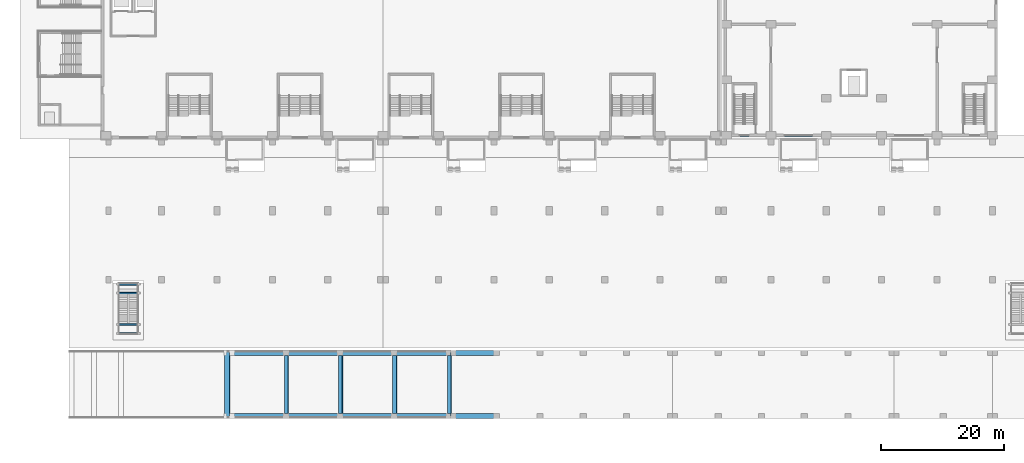
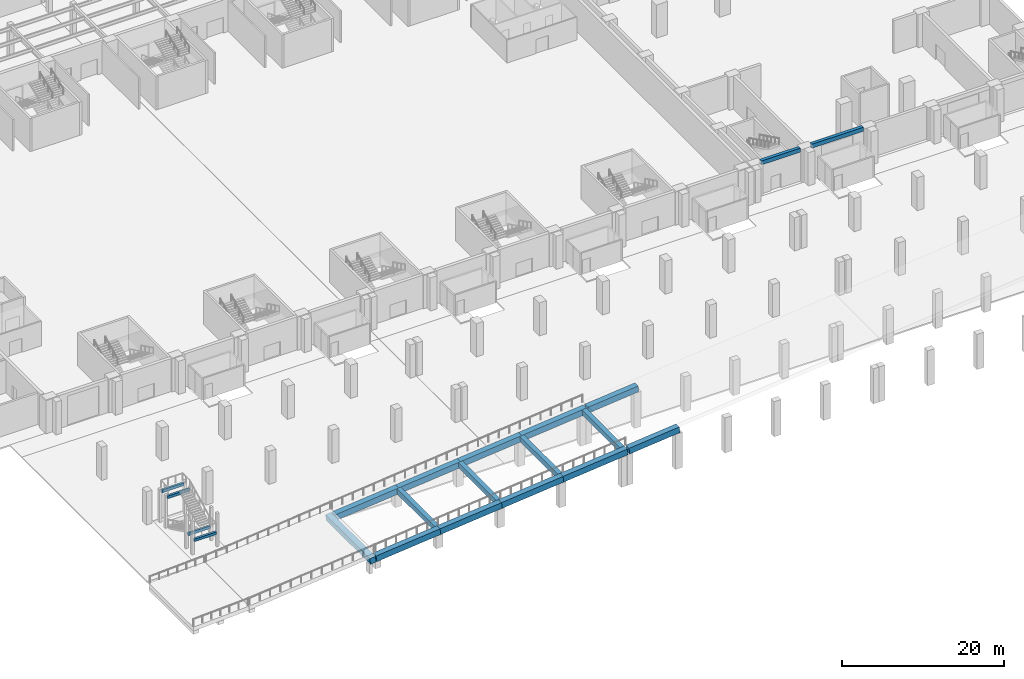
# One storey, part 15 of 77: 21 beams.
"""IFC4 building model written with IfcOpenShell, lengths in metres."""

from ifc_helpers import new_model, si_unit, direction, frame, origin, origin_2d, place, context, subcontext, project, spatial, rectangle, extrude, material, material_profile, profile_set, type_object, element, save


model = new_model("IFC4")

# Units and contexts
model_context = context("Model", 3, precision=1e-05, world=origin(), true_north=direction((0.0, 1.0)))
body_context = subcontext(model_context, "Body", "Model", "MODEL_VIEW")
ifc_project = project(units=[si_unit("LENGTHUNIT", "METRE"), si_unit("AREAUNIT", "SQUARE_METRE"), si_unit("VOLUMEUNIT", "CUBIC_METRE"), si_unit("PLANEANGLEUNIT", "RADIAN"), si_unit("MASSUNIT", "GRAM", prefix="KILO")], contexts=[model_context])

# Site, building, storey
site_placement = place(None, origin())
site = spatial("IfcSite", under=ifc_project, at=site_placement, CompositionType="ELEMENT")
building_placement = place(site_placement, origin())
building = spatial("IfcBuilding", under=site, at=building_placement, Name="Aravalli Gate Trade Fair Centre", CompositionType="ELEMENT")
storey_placement = place(building_placement, origin())
storey = spatial("IfcBuildingStorey", under=building, at=storey_placement, Name="L00", CompositionType="ELEMENT", Elevation=0.0)

# Beams
ifc_material = material(Name="Concrete M45", Category="concrete")
ifc_material_profile_1 = material_profile(ifc_material, rectangle(XDim=0.449951171875, YDim=0.60009765625, at=origin_2d()), Name="RC 450x600")
ifc_profile_set_1 = profile_set([ifc_material_profile_1], Name="Concrete M45")
beam_type_1 = type_object("IfcBeamType", Name="Congress RC lintel beam 450 x 600", PredefinedType="BEAM", material=ifc_profile_set_1)
beam_1_placement = place(storey_placement, frame((107.60009765625, 46.0, 4.699951171875), z_axis=(1.0, 0.0, 0.0), x_axis=(0.0, 1.0, 0.0)))
element("IfcBeam", 1, at=beam_1_placement, inside=storey, type_object=beam_type_1, Name="Lintel S L00 bay 1", PredefinedType="BEAM", context=body_context, shape_type="SweptSolid", body=[
    extrude(rectangle(XDim=0.449951171875, YDim=0.60009765625, at=origin_2d()), origin(), (0.0, 0.0, 1.0), 5.599853515625),
])
beam_2_placement = place(storey_placement, frame((114.800048828125, 46.0, 4.699951171875), z_axis=(1.0, 0.0, 0.0), x_axis=(0.0, 1.0, 0.0)))
element("IfcBeam", 2, at=beam_2_placement, inside=storey, type_object=beam_type_1, Name="Lintel S L00 bay 2", PredefinedType="BEAM", context=body_context, shape_type="SweptSolid", body=[
    extrude(rectangle(XDim=0.449951171875, YDim=0.60009765625, at=origin_2d()), origin(), (0.0, 0.0, 1.0), 7.39990234375),
])
ifc_material_profile_2 = material_profile(ifc_material, rectangle(XDim=0.60009765625, YDim=0.89990234375, at=origin_2d()), Name="Ramp cross beam RC 600 x 900")
ifc_profile_set_2 = profile_set([ifc_material_profile_2], Name="Concrete M45")
beam_type_2 = type_object("IfcBeamType", Name="Ramp cross beam RC 600 x 900", PredefinedType="BEAM", material=ifc_profile_set_2)
for number, where, z_axis, x_axis, name in (
    (3, (35.314453125, 0.800048828125, 2.076171875), (0.0, 1.0, 0.0), (-0.995037190449, 0.0, -0.099503716633), "Beam SB2-001"),
    (4, (44.1044921875, 0.800048828125, 2.955078125), (0.0, 1.0, 0.0), (-0.995037190449, 0.0, -0.099503716633), "Beam SB2-002"),
    (5, (52.89453125, 0.800048828125, 3.834228515625), (0.0, 1.0, 0.0), (-0.995037190449, 0.0, -0.099503716633), "Beam SB2-003"),
    (6, (61.784423828125, 0.800048828125, 4.72314453125), (0.0, 1.0, 0.0), (-0.995037190449, 0.0, -0.099503716633), "Beam SB2-004"),
):
    element("IfcBeam", number, at=place(storey_placement, frame(where, z_axis=z_axis, x_axis=x_axis)), inside=storey, type_object=beam_type_2, Name=name, PredefinedType="BEAM", context=body_context, shape_type="SweptSolid", body=[
        extrude(rectangle(XDim=0.60009765625, YDim=0.89990234375, at=origin_2d()), origin(), (0.0, 0.0, 1.0), 9.39990234375),
    ])
ifc_material_profile_3 = material_profile(ifc_material, rectangle(XDim=0.800048828125, YDim=0.89990234375, at=origin_2d()), Name="Ramp edge beam RC 800 x 900")
ifc_profile_set_3 = profile_set([ifc_material_profile_3], Name="Concrete M45")
beam_type_3 = type_object("IfcBeamType", Name="Ramp edge beam RC 800 x 900", PredefinedType="BEAM", material=ifc_profile_set_3)
beam_3_placement = place(storey_placement, frame((26.174560546875, 0.39990234375, 1.162109375), z_axis=(0.995036400705, 0.0, 0.099511613757), x_axis=(0.0, 1.0, 0.0)))
element("IfcBeam", 7, at=beam_3_placement, inside=storey, type_object=beam_type_3, Name="Beam SB1-001", PredefinedType="BEAM", context=body_context, shape_type="SweptSolid", body=[
    extrude(rectangle(XDim=0.800048828125, YDim=0.89990234375, at=origin_2d()), origin(), (0.0, 0.0, 1.0), 9.185546875),
])
for number, where, z_axis, x_axis, name in (
    (8, (35.314453125, 0.39990234375, 2.076171875), (0.99503828468, 0.0, 0.099492773715), (0.0, 1.0, 0.0), "Beam SB1-002"),
    (9, (44.1044921875, 0.39990234375, 2.955078125), (0.995035548284, 0.0, 0.099520136912), (0.0, 1.0, 0.0), "Beam SB1-003"),
):
    element("IfcBeam", number, at=place(storey_placement, frame(where, z_axis=z_axis, x_axis=x_axis)), inside=storey, type_object=beam_type_3, Name=name, PredefinedType="BEAM", context=body_context, shape_type="SweptSolid", body=[
        extrude(rectangle(XDim=0.800048828125, YDim=0.89990234375, at=origin_2d()), origin(), (0.0, 0.0, 1.0), 8.833984375),
    ])
beam_4_placement = place(storey_placement, frame((52.89453125, 0.39990234375, 3.834228515625), z_axis=(0.995037713647, 0.0, 0.099498484516), x_axis=(0.0, 1.0, 0.0)))
element("IfcBeam", 10, at=beam_4_placement, inside=storey, type_object=beam_type_3, Name="Beam SB1-004", PredefinedType="BEAM", context=body_context, shape_type="SweptSolid", body=[
    extrude(rectangle(XDim=0.800048828125, YDim=0.89990234375, at=origin_2d()), origin(), (0.0, 0.0, 1.0), 9.23583984375),
])
beam_5_placement = place(storey_placement, frame((26.174560546875, 10.60009765625, 1.162109375), z_axis=(0.995036400705, 0.0, 0.099511613757), x_axis=(0.0, 1.0, 0.0)))
element("IfcBeam", 11, at=beam_5_placement, inside=storey, type_object=beam_type_3, Name="Beam SB1-005", PredefinedType="BEAM", context=body_context, shape_type="SweptSolid", body=[
    extrude(rectangle(XDim=0.800048828125, YDim=0.89990234375, at=origin_2d()), origin(), (0.0, 0.0, 1.0), 9.185546875),
])
for number, where, z_axis, x_axis, name in (
    (12, (35.314453125, 10.60009765625, 2.076171875), (0.99503828468, 0.0, 0.099492773715), (0.0, 1.0, 0.0), "Beam SB1-006"),
    (13, (44.1044921875, 10.60009765625, 2.955078125), (0.995035548284, 0.0, 0.099520136912), (0.0, 1.0, 0.0), "Beam SB1-007"),
):
    element("IfcBeam", number, at=place(storey_placement, frame(where, z_axis=z_axis, x_axis=x_axis)), inside=storey, type_object=beam_type_3, Name=name, PredefinedType="BEAM", context=body_context, shape_type="SweptSolid", body=[
        extrude(rectangle(XDim=0.800048828125, YDim=0.89990234375, at=origin_2d()), origin(), (0.0, 0.0, 1.0), 8.833984375),
    ])
beam_6_placement = place(storey_placement, frame((52.89453125, 10.60009765625, 3.834228515625), z_axis=(0.995037713647, 0.0, 0.099498484516), x_axis=(0.0, 1.0, 0.0)))
element("IfcBeam", 14, at=beam_6_placement, inside=storey, type_object=beam_type_3, Name="Beam SB1-008", PredefinedType="BEAM", context=body_context, shape_type="SweptSolid", body=[
    extrude(rectangle(XDim=0.800048828125, YDim=0.89990234375, at=origin_2d()), origin(), (0.0, 0.0, 1.0), 9.23583984375),
])
for number, where, z_axis, x_axis, name in (
    (15, (62.324462890625, 0.39990234375, 4.777099609375), (0.995036520404, 0.0, 0.099510416855), (0.0, 1.0, 0.0), "Beam SB1-009"),
    (16, (62.324462890625, 10.60009765625, 4.777099609375), (0.995036520404, 0.0, 0.099510416855), (0.0, 1.0, 0.0), "Beam SB1-014"),
):
    element("IfcBeam", number, at=place(storey_placement, frame(where, z_axis=z_axis, x_axis=x_axis)), inside=storey, type_object=beam_type_3, Name=name, PredefinedType="BEAM", context=body_context, shape_type="SweptSolid", body=[
        extrude(rectangle(XDim=0.800048828125, YDim=0.89990234375, at=origin_2d()), origin(), (0.0, 0.0, 1.0), 7.218017578125),
    ])
ifc_material_profile_4 = material_profile(ifc_material, rectangle(XDim=0.800048828125, YDim=0.89990234375, at=origin_2d()), Name="Ramp end beam RC 800 x 900")
ifc_profile_set_4 = profile_set([ifc_material_profile_4], Name="Concrete M45")
beam_type_4 = type_object("IfcBeamType", Name="Ramp end beam RC 800 x 900", PredefinedType="BEAM", material=ifc_profile_set_4)
beam_7_placement = place(storey_placement, frame((25.6845703125, 0.0, 1.11328125), z_axis=(0.0, 1.0, 0.0), x_axis=(-0.995037190449, 0.0, -0.099503716633)))
element("IfcBeam", 17, at=beam_7_placement, inside=storey, type_object=beam_type_4, Name="Beam SB6", PredefinedType="BEAM", context=body_context, shape_type="SweptSolid", body=[
    extrude(rectangle(XDim=0.800048828125, YDim=0.89990234375, at=origin_2d()), origin(), (0.0, 0.0, 1.0), 11.0),
])
ifc_material_profile_5 = material_profile(ifc_material, rectangle(XDim=0.300048828125, YDim=0.39990234375, at=origin_2d()), Name="Stair landing beam RC 300 x 400")
ifc_profile_set_5 = profile_set([ifc_material_profile_5], Name="Concrete M45")
beam_type_5 = type_object("IfcBeamType", Name="Stair landing beam RC 300 x 400", PredefinedType="BEAM", material=ifc_profile_set_5)
for number, where, z_axis, x_axis, name in (
    (18, (8.0, 15.25, 2.050048828125), (1.0, 0.0, 0.0), (0.0, 1.0, 0.0), "Beam SB5-001"),
    (19, (8.0, 13.75, 2.050048828125), (1.0, 0.0, 0.0), (0.0, 1.0, 0.0), "Beam SB5-002"),
    (20, (8.0, 21.800048828125, 4.550048828125), (1.0, 0.0, 0.0), (0.0, 1.0, 0.0), "Beam SB5-003"),
    (21, (8.0, 20.35009765625, 4.550048828125), (1.0, 0.0, 0.0), (0.0, 1.0, 0.0), "Beam SB5-004"),
):
    element("IfcBeam", number, at=place(storey_placement, frame(where, z_axis=z_axis, x_axis=x_axis)), inside=storey, type_object=beam_type_5, Name=name, PredefinedType="BEAM", context=body_context, shape_type="SweptSolid", body=[
        extrude(rectangle(XDim=0.300048828125, YDim=0.39990234375, at=origin_2d()), origin(), (0.0, 0.0, 1.0), 3.199951171875),
    ])

save(model, "model.ifc")
